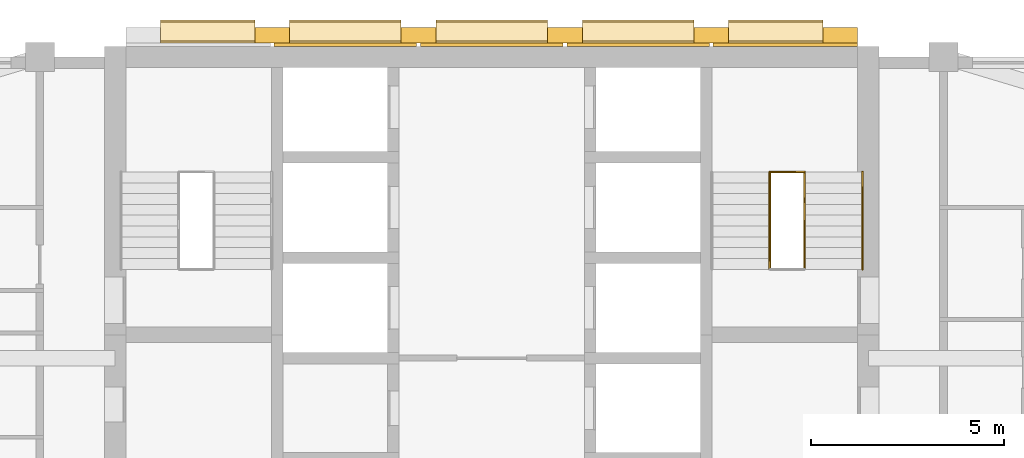
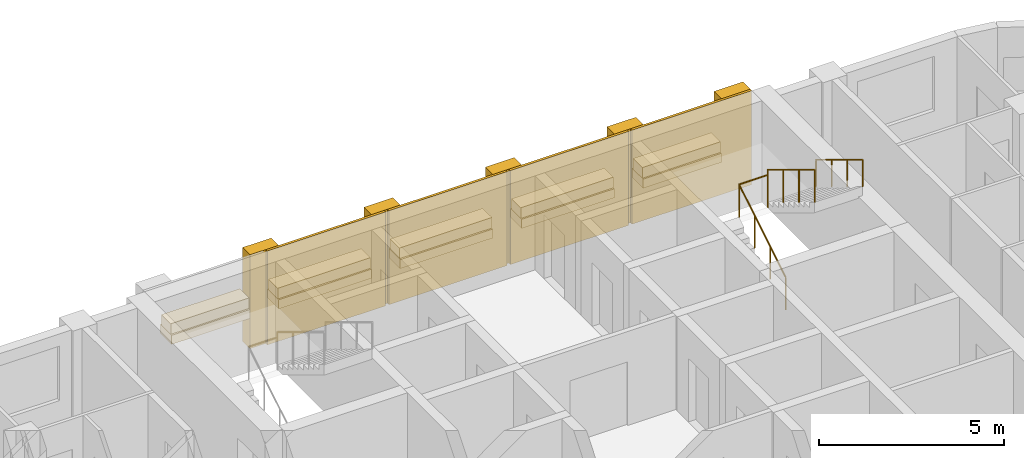
# One storey, part 13 of 13: 19 coverings, 4 railings, 1 element without a shape of its own.
"""IFC4 building model written with IfcOpenShell, lengths in metres."""

from ifc_helpers import new_model, si_unit, direction, frame, origin, origin_2d, place, context, subcontext, project, spatial, rectangle, circle, extrude, material, layer, layer_set, type_object, element, aggregate, save


model = new_model("IFC4")

# Units and contexts
model_context = context("Model", 3, precision=1e-05, world=origin(), true_north=direction((0.0, 1.0)))
body_context = subcontext(model_context, "Body", "Model", "MODEL_VIEW")
ifc_project = project(units=[si_unit("LENGTHUNIT", "METRE"), si_unit("AREAUNIT", "SQUARE_METRE"), si_unit("VOLUMEUNIT", "CUBIC_METRE"), si_unit("PLANEANGLEUNIT", "RADIAN"), si_unit("MASSUNIT", "GRAM", prefix="KILO")], contexts=[model_context])

# Site, building, storey
site_placement = place(None, origin())
site = spatial("IfcSite", under=ifc_project, at=site_placement, CompositionType="ELEMENT")
building_placement = place(site_placement, origin())
building = spatial("IfcBuilding", under=site, at=building_placement, Name="Ludao Terraces", CompositionType="ELEMENT")
storey_placement = place(building_placement, frame((0.0, 0.0, 169.0)))
storey = spatial("IfcBuildingStorey", under=building, at=storey_placement, Name="L46", CompositionType="ELEMENT", Elevation=169.0)

# Coverings
ifc_material_1 = material(Name="Granite cladding", Category="masonry")
ifc_layer_1 = layer(ifc_material_1, 0.39990234375)
ifc_layer_set_1 = layer_set([ifc_layer_1], Name="ENV Core pilaster stone 400")
covering_type_1 = type_object("IfcCoveringType", Name="ENV Core pilaster stone 400", PredefinedType="CLADDING", material=ifc_layer_set_1)
for number, where, z_axis, x_axis, name in (
    (1, (79.31494140625, 85.054931640625, 0.0), (0.0, 0.0, 1.0), (1.0, 0.0, 0.0), "CC-L46-PIL2"),
    (2, (83.10498046875, 85.054931640625, 0.0), (0.0, 0.0, 1.0), (1.0, 0.0, 0.0), "CC-L46-PIL3"),
    (3, (86.89501953125, 85.054931640625, 0.0), (0.0, 0.0, 1.0), (1.0, 0.0, 0.0), "CC-L46-PIL4"),
    (4, (90.68505859375, 85.054931640625, 0.0), (0.0, 0.0, 1.0), (1.0, 0.0, 0.0), "CC-L46-PIL5"),
    (5, (94.02490234375, 85.054931640625, 0.0), (0.0, 0.0, 1.0), (1.0, 0.0, 0.0), "CC-L46-PIL6"),
):
    element("IfcCovering", number, at=place(storey_placement, frame(where, z_axis=z_axis, x_axis=x_axis)), inside=storey, type_object=covering_type_1, Name=name, PredefinedType="CLADDING", context=body_context, shape_type="SweptSolid", body=[
        extrude(rectangle(XDim=0.89990234375, YDim=0.39990234375, at=origin_2d()), origin(), (0.0, 0.0, 1.0), 3.10009765625),
    ])
ifc_layer_2 = layer(ifc_material_1, 0.60009765625)
ifc_layer_set_2 = layer_set([ifc_layer_2], Name="ENV Core planting shelf stone 600")
covering_type_2 = type_object("IfcCoveringType", Name="ENV Core planting shelf stone 600", PredefinedType="CLADDING", material=ifc_layer_set_2)
covering_1_placement = place(storey_placement, frame((77.64501953125, 85.155029296875, 1.0), z_axis=(0.0, 0.0, 1.0), x_axis=(1.0, 0.0, 0.0)))
element("IfcCovering", 6, at=covering_1_placement, inside=storey, type_object=covering_type_2, Name="CC-L46-SHELF1", PredefinedType="CLADDING", context=body_context, shape_type="SweptSolid", body=[
    extrude(rectangle(XDim=2.43994140625, YDim=0.60009765625, at=origin_2d()), origin(), (0.0, 0.0, 1.0), 0.300048828125),
])
for number, where, z_axis, x_axis, name in (
    (7, (81.2099609375, 85.155029296875, 1.0), (0.0, 0.0, 1.0), (1.0, 0.0, 0.0), "CC-L46-SHELF2"),
    (8, (85.0, 85.155029296875, 1.0), (0.0, 0.0, 1.0), (1.0, 0.0, 0.0), "CC-L46-SHELF3"),
    (9, (88.7900390625, 85.155029296875, 1.0), (0.0, 0.0, 1.0), (1.0, 0.0, 0.0), "CC-L46-SHELF4"),
):
    element("IfcCovering", number, at=place(storey_placement, frame(where, z_axis=z_axis, x_axis=x_axis)), inside=storey, type_object=covering_type_2, Name=name, PredefinedType="CLADDING", context=body_context, shape_type="SweptSolid", body=[
        extrude(rectangle(XDim=2.889892578125, YDim=0.60009765625, at=origin_2d()), origin(), (0.0, 0.0, 1.0), 0.300048828125),
    ])
covering_2_placement = place(storey_placement, frame((92.35498046875, 85.155029296875, 1.0), z_axis=(0.0, 0.0, 1.0), x_axis=(1.0, 0.0, 0.0)))
element("IfcCovering", 10, at=covering_2_placement, inside=storey, type_object=covering_type_2, Name="CC-L46-SHELF5", PredefinedType="CLADDING", context=body_context, shape_type="SweptSolid", body=[
    extrude(rectangle(XDim=2.43994140625, YDim=0.60009765625, at=origin_2d()), origin(), (0.0, 0.0, 1.0), 0.300048828125),
])
ifc_layer_3 = layer(ifc_material_1, 0.080078125)
ifc_layer_set_3 = layer_set([ifc_layer_3], Name="ENV Core stone cladding panel 80")
covering_type_3 = type_object("IfcCoveringType", Name="ENV Core stone cladding panel 80", PredefinedType="CLADDING", material=ifc_layer_set_3)
for number, where, z_axis, x_axis, name in (
    (11, (81.2099609375, 84.81494140625, 0.0), (0.0, 0.0, 1.0), (1.0, 0.0, 0.0), "CC-L46-CORE2"),
    (12, (85.0, 84.81494140625, 0.0), (0.0, 0.0, 1.0), (1.0, 0.0, 0.0), "CC-L46-CORE3"),
    (13, (88.7900390625, 84.81494140625, 0.0), (0.0, 0.0, 1.0), (1.0, 0.0, 0.0), "CC-L46-CORE4"),
):
    element("IfcCovering", number, at=place(storey_placement, frame(where, z_axis=z_axis, x_axis=x_axis)), inside=storey, type_object=covering_type_3, Name=name, PredefinedType="CLADDING", context=body_context, shape_type="SweptSolid", body=[
        extrude(rectangle(XDim=3.68994140625, YDim=0.080078125, at=origin_2d()), origin(), (0.0, 0.0, 1.0), 3.10009765625),
    ])
covering_3_placement = place(storey_placement, frame((92.60498046875, 84.81494140625, 0.0), z_axis=(0.0, 0.0, 1.0), x_axis=(1.0, 0.0, 0.0)))
element("IfcCovering", 14, at=covering_3_placement, inside=storey, type_object=covering_type_3, Name="CC-L46-CORE5", PredefinedType="CLADDING", context=body_context, shape_type="SweptSolid", body=[
    extrude(rectangle(XDim=3.739990234375, YDim=0.080078125, at=origin_2d()), origin(), (0.0, 0.0, 1.0), 3.10009765625),
])
ifc_material_2 = material(Name="Planting")
ifc_layer_4 = layer(ifc_material_2, 0.5)
ifc_layer_set_4 = layer_set([ifc_layer_4], Name="ENV Shelf planting bed 350")
covering_type_4 = type_object("IfcCoveringType", Name="ENV Shelf planting bed 350", PredefinedType="USERDEFINED", material=ifc_layer_set_4)
covering_4_placement = place(storey_placement, frame((77.64501953125, 85.155029296875, 1.300048828125), z_axis=(0.0, 0.0, 1.0), x_axis=(1.0, 0.0, 0.0)))
element("IfcCovering", 15, at=covering_4_placement, inside=storey, type_object=covering_type_4, Name="Shelf planting bed L46 1", ObjectType="PLANTING", PredefinedType="USERDEFINED", context=body_context, shape_type="SweptSolid", body=[
    extrude(rectangle(XDim=2.43994140625, YDim=0.5, at=origin_2d()), origin(), (0.0, 0.0, 1.0), 0.35009765625),
])
for number, where, z_axis, x_axis, name in (
    (16, (81.2099609375, 85.155029296875, 1.300048828125), (0.0, 0.0, 1.0), (1.0, 0.0, 0.0), "Shelf planting bed L46 2"),
    (17, (85.0, 85.155029296875, 1.300048828125), (0.0, 0.0, 1.0), (1.0, 0.0, 0.0), "Shelf planting bed L46 3"),
    (18, (88.7900390625, 85.155029296875, 1.300048828125), (0.0, 0.0, 1.0), (1.0, 0.0, 0.0), "Shelf planting bed L46 4"),
):
    element("IfcCovering", number, at=place(storey_placement, frame(where, z_axis=z_axis, x_axis=x_axis)), inside=storey, type_object=covering_type_4, Name=name, ObjectType="PLANTING", PredefinedType="USERDEFINED", context=body_context, shape_type="SweptSolid", body=[
        extrude(rectangle(XDim=2.889892578125, YDim=0.5, at=origin_2d()), origin(), (0.0, 0.0, 1.0), 0.35009765625),
    ])
covering_5_placement = place(storey_placement, frame((92.35498046875, 85.155029296875, 1.300048828125), z_axis=(0.0, 0.0, 1.0), x_axis=(1.0, 0.0, 0.0)))
element("IfcCovering", 19, at=covering_5_placement, inside=storey, type_object=covering_type_4, Name="Shelf planting bed L46 5", ObjectType="PLANTING", PredefinedType="USERDEFINED", context=body_context, shape_type="SweptSolid", body=[
    extrude(rectangle(XDim=2.43994140625, YDim=0.5, at=origin_2d()), origin(), (0.0, 0.0, 1.0), 0.35009765625),
])

# Stair, railings
ifc_material_3 = material(Name="Concrete C40", Category="concrete")
stair_type = type_object("IfcStairType", Name="INT Stair", PredefinedType="HALF_TURN_STAIR", material=ifc_material_3)
stair_placement = place(storey_placement, origin())
stair = element("IfcStair", 20, at=stair_placement, inside=storey, type_object=stair_type, Name="EXIT STAIR 2", PredefinedType="HALF_TURN_STAIR")
ifc_material_4 = material(Name="Stainless steel 304", Category="steel")
railing_type_1 = type_object("IfcRailingType", Name="INT Stair guard 1100", PredefinedType="GUARDRAIL", material=ifc_material_4)
railing_1_placement = place(storey_placement, frame((92.199951171875, 79.0, 0.169921875)))
railing_1 = element("IfcRailing", 21, at=railing_1_placement, type_object=railing_type_1, Name="ST-L46-S2-R1G", PredefinedType="GUARDRAIL", context=body_context, shape_type="SweptSolid", body=[
    extrude(circle(Radius=0.02392578125, at=origin_2d()), frame((0.0, 0.0, 1.076171875), z_axis=(0.0, 0.85478489116, 0.518982456201), x_axis=(-1.0, 0.0, 0.0)), (0.0, 0.0, 1.0), 2.9482421875),
    extrude(circle(Radius=0.02099609375, at=origin_2d()), origin(), (0.0, 0.0, 1.0), 1.052001953125),
    extrude(circle(Radius=0.02099609375, at=origin_2d()), frame((0.0, 0.840087890625, 0.510009765625)), (0.0, 0.0, 1.0), 1.052001953125),
    extrude(circle(Radius=0.02099609375, at=origin_2d()), frame((0.0, 1.679931640625, 1.02001953125)), (0.0, 0.0, 1.0), 1.052001953125),
    extrude(circle(Radius=0.02099609375, at=origin_2d()), frame((0.0, 2.52001953125, 1.530029296875)), (0.0, 0.0, 1.0), 1.052001953125),
])
railing_2_placement = place(storey_placement, frame((93.10009765625, 81.52001953125, 1.8701171875)))
railing_2 = element("IfcRailing", 22, at=railing_2_placement, type_object=railing_type_1, Name="ST-L46-S2-R2G", PredefinedType="GUARDRAIL", context=body_context, shape_type="SweptSolid", body=[
    extrude(circle(Radius=0.02392578125, at=origin_2d()), frame((0.0, 0.0, 1.076171875), z_axis=(0.0, -0.854821627497, 0.518921945155), x_axis=(1.0, 0.0, 0.0)), (0.0, 0.0, 1.0), 2.947998046875),
    extrude(circle(Radius=0.02099609375, at=origin_2d()), origin(), (0.0, 0.0, 1.0), 1.052001953125),
    extrude(circle(Radius=0.02099609375, at=origin_2d()), frame((0.0, -0.840087890625, 0.510009765625)), (0.0, 0.0, 1.0), 1.052001953125),
    extrude(circle(Radius=0.02099609375, at=origin_2d()), frame((0.0, -1.679931640625, 1.019775390625)), (0.0, 0.0, 1.0), 1.052001953125),
    extrude(circle(Radius=0.02099609375, at=origin_2d()), frame((0.0, -2.52001953125, 1.52978515625)), (0.0, 0.0, 1.0), 1.052001953125),
])
railing_3_placement = place(storey_placement, frame((92.199951171875, 81.52001953125, 1.699951171875)))
railing_3 = element("IfcRailing", 23, at=railing_3_placement, type_object=railing_type_1, Name="ST-L46-S2-E1G", PredefinedType="GUARDRAIL", context=body_context, shape_type="SweptSolid", body=[
    extrude(circle(Radius=0.02392578125, at=origin_2d()), frame((0.0, 0.0, 1.076171875), z_axis=(1.0, 0.0, 0.0), x_axis=(0.0, 1.0, 0.0)), (0.0, 0.0, 1.0), 0.900146484375),
    extrude(circle(Radius=0.02099609375, at=origin_2d()), origin(), (0.0, 0.0, 1.0), 1.052001953125),
    extrude(circle(Radius=0.02099609375, at=origin_2d()), frame((0.900146484375, 0.0, 0.0)), (0.0, 0.0, 1.0), 1.052001953125),
])
railing_type_2 = type_object("IfcRailingType", Name="INT Stair handrail 900", PredefinedType="HANDRAIL", material=ifc_material_4)
railing_4_placement = place(storey_placement, frame((94.60009765625, 81.52001953125, 1.8701171875)))
railing_4 = element("IfcRailing", 24, at=railing_4_placement, type_object=railing_type_2, Name="ST-L46-S2-R2H", PredefinedType="HANDRAIL", context=body_context, shape_type="SweptSolid", body=[
    extrude(circle(Radius=0.02392578125, at=origin_2d()), frame((0.0, 0.0, 0.8759765625), z_axis=(0.0, -0.854821627497, 0.518921945155), x_axis=(1.0, 0.0, 0.0)), (0.0, 0.0, 1.0), 2.947998046875),
    extrude(circle(Radius=0.02099609375, at=origin_2d()), origin(), (0.0, 0.0, 1.0), 0.851806640625),
    extrude(circle(Radius=0.02099609375, at=origin_2d()), frame((0.0, -0.840087890625, 0.510009765625)), (0.0, 0.0, 1.0), 0.851806640625),
    extrude(circle(Radius=0.02099609375, at=origin_2d()), frame((0.0, -1.679931640625, 1.019775390625)), (0.0, 0.0, 1.0), 0.851806640625),
    extrude(circle(Radius=0.02099609375, at=origin_2d()), frame((0.0, -2.52001953125, 1.52978515625)), (0.0, 0.0, 1.0), 0.851806640625),
])
aggregate(stair, [railing_1, railing_2, railing_4, railing_3])

save(model, "model.ifc")
